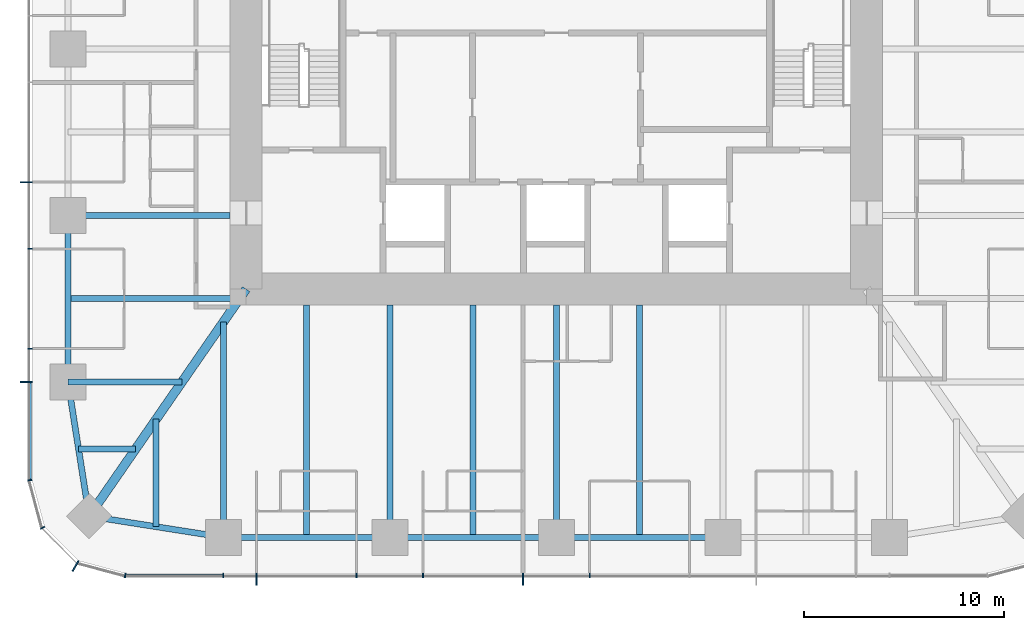
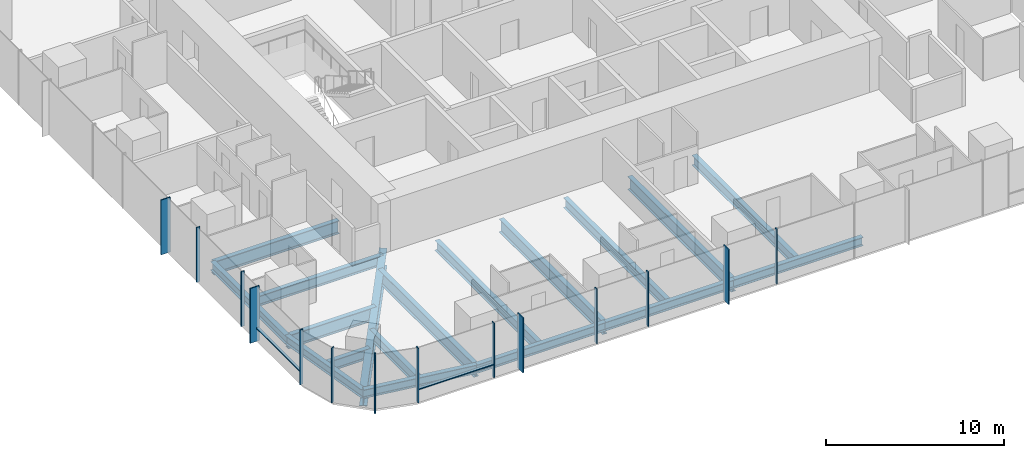
# One storey, part 2 of 12: 18 beams, 16 members, 3 elements without a shape of their own.
"""IFC4 building model written with IfcOpenShell, lengths in metres."""

from ifc_helpers import new_model, si_unit, direction, frame, origin, origin_2d, place, context, subcontext, project, spatial, rectangle, i_section, extrude, material, material_profile, profile_set, type_object, element, aggregate, save


model = new_model("IFC4")

# Units and contexts
model_context = context("Model", 3, precision=1e-05, world=origin(), true_north=direction((0.0, 1.0)))
body_context = subcontext(model_context, "Body", "Model", "MODEL_VIEW")
ifc_project = project(units=[si_unit("LENGTHUNIT", "METRE"), si_unit("AREAUNIT", "SQUARE_METRE"), si_unit("VOLUMEUNIT", "CUBIC_METRE"), si_unit("PLANEANGLEUNIT", "RADIAN"), si_unit("MASSUNIT", "GRAM", prefix="KILO")], contexts=[model_context])

# Site, building, storey
site_placement = place(None, origin())
site = spatial("IfcSite", under=ifc_project, at=site_placement, CompositionType="ELEMENT")
building_placement = place(site_placement, origin())
building = spatial("IfcBuilding", under=site, at=building_placement, Name="Khuree Lantern Residences", CompositionType="ELEMENT")
storey_placement = place(building_placement, frame((0.0, 0.0, 222.0)))
storey = spatial("IfcBuildingStorey", under=building, at=storey_placement, Name="L55", CompositionType="ELEMENT", Elevation=222.0)

# Beams
ifc_material_1 = material(Name="Steel S355", Category="steel")
ifc_material_profile_1 = material_profile(ifc_material_1, i_section(OverallWidth=0.300048828125, OverallDepth=0.68994140625, WebThickness=0.014404296875, FlangeThickness=0.027099609375, FilletRadius=0.027099609375, at=origin_2d()), Name="HE 700 A")
ifc_profile_set_1 = profile_set([ifc_material_profile_1], Name="Steel S355")
beam_type_1 = type_object("IfcBeamType", Name="B-32 SECONDARY BEAM HE 700 A", PredefinedType="BEAM", material=ifc_profile_set_1)
for number, where, z_axis, x_axis, name in (
    (1, (4.159912109375, -24.39990234375, -0.594970703125), (0.0, 1.0, 0.0), (-1.0, 0.0, 0.0), "Secondary beam S3"),
    (2, (-4.159912109375, -24.39990234375, -0.594970703125), (0.0, 1.0, 0.0), (-1.0, 0.0, 0.0), "Secondary beam S4"),
    (3, (-12.47998046875, -24.39990234375, -0.594970703125), (0.0, 1.0, 0.0), (-1.0, 0.0, 0.0), "Secondary beam S5"),
):
    element("IfcBeam", number, at=place(storey_placement, frame(where, z_axis=z_axis, x_axis=x_axis)), inside=storey, type_object=beam_type_1, Name=name, PredefinedType="BEAM", context=body_context, shape_type="SweptSolid", body=[
        extrude(i_section(OverallWidth=0.300048828125, OverallDepth=0.68994140625, WebThickness=0.014404296875, FlangeThickness=0.027099609375, FilletRadius=0.027099609375, at=origin_2d()), origin(), (0.0, 0.0, 1.0), 11.599853515625),
    ])
beam_1_placement = place(storey_placement, frame((-19.992919921875, -23.872802734375, -0.594970703125), z_axis=(0.0, 1.0, 0.0), x_axis=(-1.0, 0.0, 0.0)))
element("IfcBeam", 4, at=beam_1_placement, inside=storey, type_object=beam_type_1, Name="Secondary beam S6", PredefinedType="BEAM", context=body_context, shape_type="SweptSolid", body=[
    extrude(i_section(OverallWidth=0.300048828125, OverallDepth=0.68994140625, WebThickness=0.014404296875, FlangeThickness=0.027099609375, FilletRadius=0.027099609375, at=origin_2d()), origin(), (0.0, 0.0, 1.0), 5.375732421875),
])
beam_2_placement = place(storey_placement, frame((-23.872802734375, -19.992919921875, -0.594970703125), z_axis=(1.0, 0.0, 0.0), x_axis=(0.0, 1.0, 0.0)))
element("IfcBeam", 5, at=beam_2_placement, inside=storey, type_object=beam_type_1, Name="Secondary beam W1", PredefinedType="BEAM", context=body_context, shape_type="SweptSolid", body=[
    extrude(i_section(OverallWidth=0.300048828125, OverallDepth=0.68994140625, WebThickness=0.014404296875, FlangeThickness=0.027099609375, FilletRadius=0.027099609375, at=origin_2d()), origin(), (0.0, 0.0, 1.0), 2.845703125),
])
beam_3_placement = place(storey_placement, frame((-24.39990234375, -12.47998046875, -0.594970703125), z_axis=(1.0, 0.0, 0.0), x_axis=(0.0, 1.0, 0.0)))
element("IfcBeam", 6, at=beam_3_placement, inside=storey, type_object=beam_type_1, Name="Secondary beam W2", PredefinedType="BEAM", context=body_context, shape_type="SweptSolid", body=[
    extrude(i_section(OverallWidth=0.300048828125, OverallDepth=0.68994140625, WebThickness=0.014404296875, FlangeThickness=0.027099609375, FilletRadius=0.027099609375, at=origin_2d()), origin(), (0.0, 0.0, 1.0), 8.56787109375),
])
ifc_material_profile_2 = material_profile(ifc_material_1, i_section(OverallWidth=0.300048828125, OverallDepth=0.590087890625, WebThickness=0.012939453125, FlangeThickness=0.02490234375, FilletRadius=0.027099609375, at=origin_2d()), Name="HE 600 A")
ifc_profile_set_2 = profile_set([ifc_material_profile_2], Name="Steel S355")
beam_type_2 = type_object("IfcBeamType", Name="E-32 SPANDREL BEAM HE 600 A", PredefinedType="SPANDREL", material=ifc_profile_set_2)
for number, where, z_axis, x_axis, name in (
    (7, (8.320068359375, -24.39990234375, -0.544921875), (-1.0, 0.0, 0.0), (0.0, -1.0, 0.0), "Spandrel beam S3"),
    (8, (0.0, -24.39990234375, -0.544921875), (-1.0, 0.0, 0.0), (0.0, -1.0, 0.0), "Spandrel beam S4"),
):
    element("IfcBeam", number, at=place(storey_placement, frame(where, z_axis=z_axis, x_axis=x_axis)), inside=storey, type_object=beam_type_2, Name=name, PredefinedType="SPANDREL", context=body_context, shape_type="SweptSolid", body=[
        extrude(i_section(OverallWidth=0.300048828125, OverallDepth=0.590087890625, WebThickness=0.012939453125, FlangeThickness=0.02490234375, FilletRadius=0.027099609375, at=origin_2d()), origin(), (0.0, 0.0, 1.0), 8.320068359375),
    ])
beam_4_placement = place(storey_placement, frame((-8.320068359375, -24.39990234375, -0.544921875), z_axis=(-1.0, 0.0, 0.0), x_axis=(0.0, -1.0, 0.0)))
element("IfcBeam", 9, at=beam_4_placement, inside=storey, type_object=beam_type_2, Name="Spandrel beam S5", PredefinedType="SPANDREL", context=body_context, shape_type="SweptSolid", body=[
    extrude(i_section(OverallWidth=0.300048828125, OverallDepth=0.590087890625, WebThickness=0.012939453125, FlangeThickness=0.02490234375, FilletRadius=0.027099609375, at=origin_2d()), origin(), (0.0, 0.0, 1.0), 8.31982421875),
])
for number, where, z_axis, x_axis, name in (
    (10, (-16.639892578125, -24.39990234375, -0.544921875), (-0.98786743189, 0.155299507442, 0.0), (-0.155299507442, -0.98786743189, 0.0), "Spandrel beam S6"),
    (11, (-23.345703125, -23.345703125, -0.544921875), (-0.155299507442, 0.98786743189, 0.0), (-0.98786743189, -0.155299507442, 0.0), "Spandrel beam W1"),
):
    element("IfcBeam", number, at=place(storey_placement, frame(where, z_axis=z_axis, x_axis=x_axis)), inside=storey, type_object=beam_type_2, Name=name, PredefinedType="SPANDREL", context=body_context, shape_type="SweptSolid", body=[
        extrude(i_section(OverallWidth=0.300048828125, OverallDepth=0.590087890625, WebThickness=0.012939453125, FlangeThickness=0.02490234375, FilletRadius=0.027099609375, at=origin_2d()), origin(), (0.0, 0.0, 1.0), 6.7880859375),
    ])
beam_5_placement = place(storey_placement, frame((-24.39990234375, -16.639892578125, -0.544921875), z_axis=(0.0, 1.0, 0.0), x_axis=(-1.0, 0.0, 0.0)))
element("IfcBeam", 12, at=beam_5_placement, inside=storey, type_object=beam_type_2, Name="Spandrel beam W2", PredefinedType="SPANDREL", context=body_context, shape_type="SweptSolid", body=[
    extrude(i_section(OverallWidth=0.300048828125, OverallDepth=0.590087890625, WebThickness=0.012939453125, FlangeThickness=0.02490234375, FilletRadius=0.027099609375, at=origin_2d()), origin(), (0.0, 0.0, 1.0), 8.31982421875),
])

# Curtain wall, members
ifc_material_2 = material(Name="Bronze anodised aluminium", Category="aluminium")
curtain_wall_type_1 = type_object("IfcCurtainWallType", Name="CW-T1 TOWER FACE CURTAIN WALL", PredefinedType="USERDEFINED", material=ifc_material_2)
curtain_wall_1_placement = place(storey_placement, origin())
curtain_wall_1 = element("IfcCurtainWall", 13, at=curtain_wall_1_placement, inside=storey, type_object=curtain_wall_type_1, Name="L55 WEST FACE CURTAIN WALL", ObjectType="Stick-built curtain wall", PredefinedType="USERDEFINED")
ifc_material_profile_3 = material_profile(ifc_material_2, rectangle(XDim=0.06494140625, YDim=0.60009765625, at=origin_2d()), Name="F1 65X600")
ifc_profile_set_3 = profile_set([ifc_material_profile_3], Name="Bronze anodised aluminium")
member_type_1 = type_object("IfcMemberType", Name="F1 BRONZE FIN MULLION TOWER 65X600", PredefinedType="MULLION", material=ifc_profile_set_3)
member_1_placement = place(storey_placement, frame((-26.5, -6.656005859375, 0.0), z_axis=(0.0, 0.0, 1.0), x_axis=(0.0, -1.0, 0.0)))
member_1 = element("IfcMember", 14, at=member_1_placement, type_object=member_type_1, Name="L55 WEST FACE FIN MULLION 39", PredefinedType="MULLION", context=body_context, shape_type="SweptSolid", body=[
    extrude(rectangle(XDim=0.06494140625, YDim=0.60009765625, at=origin_2d()), origin(), (0.0, 0.0, 1.0), 3.75),
])
member_2_placement = place(storey_placement, frame((-26.5, -16.639892578125, 0.0), z_axis=(0.0, 0.0, 1.0), x_axis=(0.0, -1.0, 0.0)))
member_2 = element("IfcMember", 15, at=member_2_placement, type_object=member_type_1, Name="L55 WEST FACE FIN MULLION 42", PredefinedType="MULLION", context=body_context, shape_type="SweptSolid", body=[
    extrude(rectangle(XDim=0.06494140625, YDim=0.60009765625, at=origin_2d()), origin(), (0.0, 0.0, 1.0), 3.75),
])

# Curtain wall, member
curtain_wall_type_2 = type_object("IfcCurtainWallType", Name="CW-T2 TOWER CORNER CURTAIN WALL", PredefinedType="USERDEFINED", material=ifc_material_2)
curtain_wall_2_placement = place(storey_placement, origin())
curtain_wall_2 = element("IfcCurtainWall", 16, at=curtain_wall_2_placement, inside=storey, type_object=curtain_wall_type_2, Name="L55 SOUTH-WEST CORNER CURTAIN WALL", ObjectType="Faceted corner curtain wall", PredefinedType="USERDEFINED")
member_3_placement = place(storey_placement, frame((-24.02490234375, -25.8369140625, 0.0), z_axis=(0.0, 0.0, 1.0), x_axis=(0.866025409797, -0.499999989586, 0.0)))
member_3 = element("IfcMember", 17, at=member_3_placement, type_object=member_type_1, Name="L55 SOUTH-WEST CORNER FIN MULLION 45", PredefinedType="MULLION", context=body_context, shape_type="SweptSolid", body=[
    extrude(rectangle(XDim=0.06494140625, YDim=0.60009765625, at=origin_2d()), origin(), (0.0, 0.0, 1.0), 3.75),
])

# Curtain wall, members
curtain_wall_3_placement = place(storey_placement, origin())
curtain_wall_3 = element("IfcCurtainWall", 18, at=curtain_wall_3_placement, inside=storey, type_object=curtain_wall_type_1, Name="L55 SOUTH FACE CURTAIN WALL", ObjectType="Stick-built curtain wall", PredefinedType="USERDEFINED")
member_4_placement = place(storey_placement, frame((-14.97607421875, -26.5, 0.0), z_axis=(0.0, 0.0, 1.0), x_axis=(1.0, 0.0, 0.0)))
member_4 = element("IfcMember", 19, at=member_4_placement, type_object=member_type_1, Name="L55 SOUTH FACE FIN MULLION 48", PredefinedType="MULLION", context=body_context, shape_type="SweptSolid", body=[
    extrude(rectangle(XDim=0.06494140625, YDim=0.60009765625, at=origin_2d()), origin(), (0.0, 0.0, 1.0), 3.75),
])
member_5_placement = place(storey_placement, frame((-1.6640625, -26.5, 0.0), z_axis=(0.0, 0.0, 1.0), x_axis=(1.0, 0.0, 0.0)))
member_5 = element("IfcMember", 20, at=member_5_placement, type_object=member_type_1, Name="L55 SOUTH FACE FIN MULLION 51", PredefinedType="MULLION", context=body_context, shape_type="SweptSolid", body=[
    extrude(rectangle(XDim=0.06494140625, YDim=0.60009765625, at=origin_2d()), origin(), (0.0, 0.0, 1.0), 3.75),
])

# Beams
ifc_material_profile_4 = material_profile(ifc_material_1, i_section(OverallWidth=0.300048828125, OverallDepth=0.89990234375, WebThickness=0.0185546875, FlangeThickness=0.034912109375, FilletRadius=0.030029296875, at=origin_2d()), Name="HE 900 B")
ifc_profile_set_4 = profile_set([ifc_material_profile_4], Name="Steel S355")
beam_type_3 = type_object("IfcBeamType", Name="G-32 GIRDER HE 900 B", PredefinedType="BEAM", material=ifc_profile_set_4)
for number, where, z_axis, x_axis, name in (
    (21, (0.0, -24.39990234375, -0.699951171875), (0.0, 1.0, 0.0), (-1.0, 0.0, 0.0), "Girder S3"),
    (22, (-8.320068359375, -24.39990234375, -0.699951171875), (0.0, 1.0, 0.0), (-1.0, 0.0, 0.0), "Girder S4"),
):
    element("IfcBeam", number, at=place(storey_placement, frame(where, z_axis=z_axis, x_axis=x_axis)), inside=storey, type_object=beam_type_3, Name=name, PredefinedType="BEAM", context=body_context, shape_type="SweptSolid", body=[
        extrude(i_section(OverallWidth=0.300048828125, OverallDepth=0.89990234375, WebThickness=0.0185546875, FlangeThickness=0.034912109375, FilletRadius=0.030029296875, at=origin_2d()), origin(), (0.0, 0.0, 1.0), 11.599853515625),
    ])
beam_6_placement = place(storey_placement, frame((-16.639892578125, -24.39990234375, -0.699951171875), z_axis=(0.0, 1.0, 0.0), x_axis=(-1.0, 0.0, 0.0)))
element("IfcBeam", 23, at=beam_6_placement, inside=storey, type_object=beam_type_3, Name="Girder S5", PredefinedType="BEAM", context=body_context, shape_type="SweptSolid", body=[
    extrude(i_section(OverallWidth=0.300048828125, OverallDepth=0.89990234375, WebThickness=0.0185546875, FlangeThickness=0.034912109375, FilletRadius=0.030029296875, at=origin_2d()), origin(), (0.0, 0.0, 1.0), 10.751220703125),
])
beam_7_placement = place(storey_placement, frame((-24.39990234375, -16.639892578125, -0.699951171875), z_axis=(1.0, 0.0, 0.0), x_axis=(0.0, 1.0, 0.0)))
element("IfcBeam", 24, at=beam_7_placement, inside=storey, type_object=beam_type_3, Name="Girder W1", PredefinedType="BEAM", context=body_context, shape_type="SweptSolid", body=[
    extrude(i_section(OverallWidth=0.300048828125, OverallDepth=0.89990234375, WebThickness=0.0185546875, FlangeThickness=0.034912109375, FilletRadius=0.030029296875, at=origin_2d()), origin(), (0.0, 0.0, 1.0), 5.69140625),
])
beam_8_placement = place(storey_placement, frame((-24.39990234375, -8.320068359375, -0.699951171875), z_axis=(1.0, 0.0, 0.0), x_axis=(0.0, 1.0, 0.0)))
element("IfcBeam", 25, at=beam_8_placement, inside=storey, type_object=beam_type_3, Name="Girder W2", PredefinedType="BEAM", context=body_context, shape_type="SweptSolid", body=[
    extrude(i_section(OverallWidth=0.300048828125, OverallDepth=0.89990234375, WebThickness=0.0185546875, FlangeThickness=0.034912109375, FilletRadius=0.030029296875, at=origin_2d()), origin(), (0.0, 0.0, 1.0), 8.099853515625),
])
ifc_material_profile_5 = material_profile(ifc_material_1, i_section(OverallWidth=0.449951171875, OverallDepth=1.199951171875, WebThickness=0.02490234375, FlangeThickness=0.044921875, at=origin_2d()), Name="WELDED I 1200X450X25X45")
ifc_profile_set_5 = profile_set([ifc_material_profile_5], Name="Steel S355")
beam_type_4 = type_object("IfcBeamType", Name="GD-32 CORNER GIRDER WELDED I 1200X450X25X45", PredefinedType="BEAM", material=ifc_profile_set_5)
beam_9_placement = place(storey_placement, frame((-23.345703125, -23.345703125, -0.85009765625), z_axis=(0.56876813501, 0.822497907959, 0.0), x_axis=(-0.822497907959, 0.56876813501, 0.0)))
element("IfcBeam", 26, at=beam_9_placement, inside=storey, type_object=beam_type_4, Name="Corner girder SW", PredefinedType="BEAM", context=body_context, shape_type="SweptSolid", body=[
    extrude(i_section(OverallWidth=0.449951171875, OverallDepth=1.199951171875, WebThickness=0.02490234375, FlangeThickness=0.044921875, at=origin_2d()), origin(), (0.0, 0.0, 1.0), 13.794189453125),
])

# Member
ifc_material_profile_6 = material_profile(ifc_material_2, rectangle(XDim=0.06494140625, YDim=0.219970703125, at=origin_2d()), Name="M1 65X220")
ifc_profile_set_6 = profile_set([ifc_material_profile_6], Name="Bronze anodised aluminium")
member_type_2 = type_object("IfcMemberType", Name="M1 BRONZE MULLION TOWER 65X220", PredefinedType="MULLION", material=ifc_profile_set_6)
member_6_placement = place(storey_placement, frame((-26.31005859375, -9.98388671875, 0.0), z_axis=(0.0, 0.0, 1.0), x_axis=(0.0, -1.0, 0.0)))
member_6 = element("IfcMember", 27, at=member_6_placement, type_object=member_type_2, Name="L55 WEST FACE MULLION 40", PredefinedType="MULLION", context=body_context, shape_type="SweptSolid", body=[
    extrude(rectangle(XDim=0.06494140625, YDim=0.219970703125, at=origin_2d()), origin(), (0.0, 0.0, 1.0), 3.75),
])

member_7_placement = place(storey_placement, frame((-26.31005859375, -14.97607421875, 0.0), z_axis=(0.0, 0.0, 1.0), x_axis=(0.0, -1.0, 0.0)))
member_7 = element("IfcMember", 28, at=member_7_placement, type_object=member_type_2, Name="L55 WEST FACE MULLION 41", PredefinedType="MULLION", context=body_context, shape_type="SweptSolid", body=[
    extrude(rectangle(XDim=0.06494140625, YDim=0.219970703125, at=origin_2d()), origin(), (0.0, 0.0, 1.0), 3.75),
])

member_8_placement = place(storey_placement, frame((-26.311767578125, -21.544921875, 0.0), z_axis=(0.0, 0.0, 1.0), x_axis=(0.130526180298, -0.991444862943, 0.0)))
member_8 = element("IfcMember", 29, at=member_8_placement, type_object=member_type_2, Name="L55 SOUTH-WEST CORNER MULLION 43", PredefinedType="MULLION", context=body_context, shape_type="SweptSolid", body=[
    extrude(rectangle(XDim=0.06494140625, YDim=0.219970703125, at=origin_2d()), origin(), (0.0, 0.0, 1.0), 3.75),
])

member_9_placement = place(storey_placement, frame((-25.67236328125, -23.929931640625, 0.0), z_axis=(0.0, 0.0, 1.0), x_axis=(0.499999989586, -0.866025409797, 0.0)))
member_9 = element("IfcMember", 30, at=member_9_placement, type_object=member_type_2, Name="L55 SOUTH-WEST CORNER MULLION 44", PredefinedType="MULLION", context=body_context, shape_type="SweptSolid", body=[
    extrude(rectangle(XDim=0.06494140625, YDim=0.219970703125, at=origin_2d()), origin(), (0.0, 0.0, 1.0), 3.75),
])

aggregate(curtain_wall_2, [member_8, member_9, member_3])

member_10_placement = place(storey_placement, frame((-21.544921875, -26.311767578125, 0.0), z_axis=(0.0, 0.0, 1.0), x_axis=(0.991444862943, -0.130526180298, 0.0)))
member_10 = element("IfcMember", 31, at=member_10_placement, type_object=member_type_2, Name="L55 SOUTH FACE MULLION 46", PredefinedType="MULLION", context=body_context, shape_type="SweptSolid", body=[
    extrude(rectangle(XDim=0.06494140625, YDim=0.219970703125, at=origin_2d()), origin(), (0.0, 0.0, 1.0), 3.75),
])

member_11_placement = place(storey_placement, frame((-16.639892578125, -26.31005859375, 0.0), z_axis=(0.0, 0.0, 1.0), x_axis=(1.0, 0.0, 0.0)))
member_11 = element("IfcMember", 32, at=member_11_placement, type_object=member_type_2, Name="L55 SOUTH FACE MULLION 47", PredefinedType="MULLION", context=body_context, shape_type="SweptSolid", body=[
    extrude(rectangle(XDim=0.06494140625, YDim=0.219970703125, at=origin_2d()), origin(), (0.0, 0.0, 1.0), 3.75),
])

member_12_placement = place(storey_placement, frame((-9.98388671875, -26.31005859375, 0.0), z_axis=(0.0, 0.0, 1.0), x_axis=(1.0, 0.0, 0.0)))
member_12 = element("IfcMember", 33, at=member_12_placement, type_object=member_type_2, Name="L55 SOUTH FACE MULLION 49", PredefinedType="MULLION", context=body_context, shape_type="SweptSolid", body=[
    extrude(rectangle(XDim=0.06494140625, YDim=0.219970703125, at=origin_2d()), origin(), (0.0, 0.0, 1.0), 3.75),
])

member_13_placement = place(storey_placement, frame((-6.656005859375, -26.31005859375, 0.0), z_axis=(0.0, 0.0, 1.0), x_axis=(1.0, 0.0, 0.0)))
member_13 = element("IfcMember", 34, at=member_13_placement, type_object=member_type_2, Name="L55 SOUTH FACE MULLION 50", PredefinedType="MULLION", context=body_context, shape_type="SweptSolid", body=[
    extrude(rectangle(XDim=0.06494140625, YDim=0.219970703125, at=origin_2d()), origin(), (0.0, 0.0, 1.0), 3.75),
])

member_14_placement = place(storey_placement, frame((1.6640625, -26.31005859375, 0.0), z_axis=(0.0, 0.0, 1.0), x_axis=(1.0, 0.0, 0.0)))
member_14 = element("IfcMember", 35, at=member_14_placement, type_object=member_type_2, Name="L55 SOUTH FACE MULLION 52", PredefinedType="MULLION", context=body_context, shape_type="SweptSolid", body=[
    extrude(rectangle(XDim=0.06494140625, YDim=0.219970703125, at=origin_2d()), origin(), (0.0, 0.0, 1.0), 3.75),
])

ifc_material_profile_7 = material_profile(ifc_material_2, rectangle(XDim=0.179931640625, YDim=0.06494140625, at=origin_2d()), Name="T1 180X65")
ifc_profile_set_7 = profile_set([ifc_material_profile_7], Name="Bronze anodised aluminium")
member_type_3 = type_object("IfcMemberType", Name="TRANSOM T1 TOWER 180X65", PredefinedType="USERDEFINED", material=ifc_profile_set_7)
member_15_placement = place(storey_placement, frame((-26.320068359375, -16.672607421875, 0.89990234375), z_axis=(0.0, -1.0, 0.0), x_axis=(1.0, 0.0, 0.0)))
member_15 = element("IfcMember", 36, at=member_15_placement, type_object=member_type_3, Name="L55 WEST FACE TRANSOM 42.1", ObjectType="Transom", PredefinedType="USERDEFINED", context=body_context, shape_type="SweptSolid", body=[
    extrude(rectangle(XDim=0.179931640625, YDim=0.06494140625, at=origin_2d()), origin(), (0.0, 0.0, 1.0), 4.828857421875),
])

aggregate(curtain_wall_1, [member_1, member_6, member_7, member_2, member_15])

member_16_placement = place(storey_placement, frame((-21.50146484375, -26.320068359375, 0.89990234375), z_axis=(1.0, 0.0, 0.0), x_axis=(0.0, 1.0, 0.0)))
member_16 = element("IfcMember", 37, at=member_16_placement, type_object=member_type_3, Name="L55 SOUTH FACE TRANSOM 46.1", ObjectType="Transom", PredefinedType="USERDEFINED", context=body_context, shape_type="SweptSolid", body=[
    extrude(rectangle(XDim=0.179931640625, YDim=0.06494140625, at=origin_2d()), origin(), (0.0, 0.0, 1.0), 4.828857421875),
])

aggregate(curtain_wall_3, [member_10, member_11, member_4, member_12, member_13, member_5, member_14, member_16])

save(model, "model.ifc")
